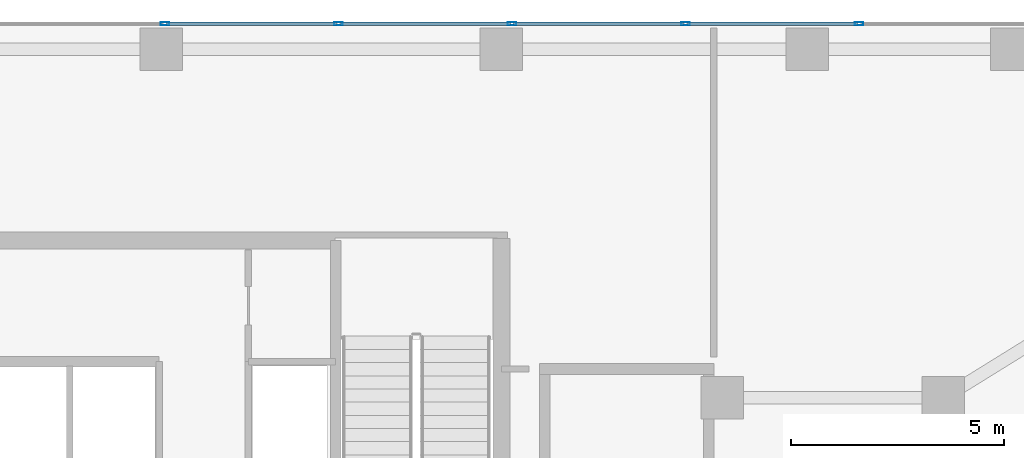
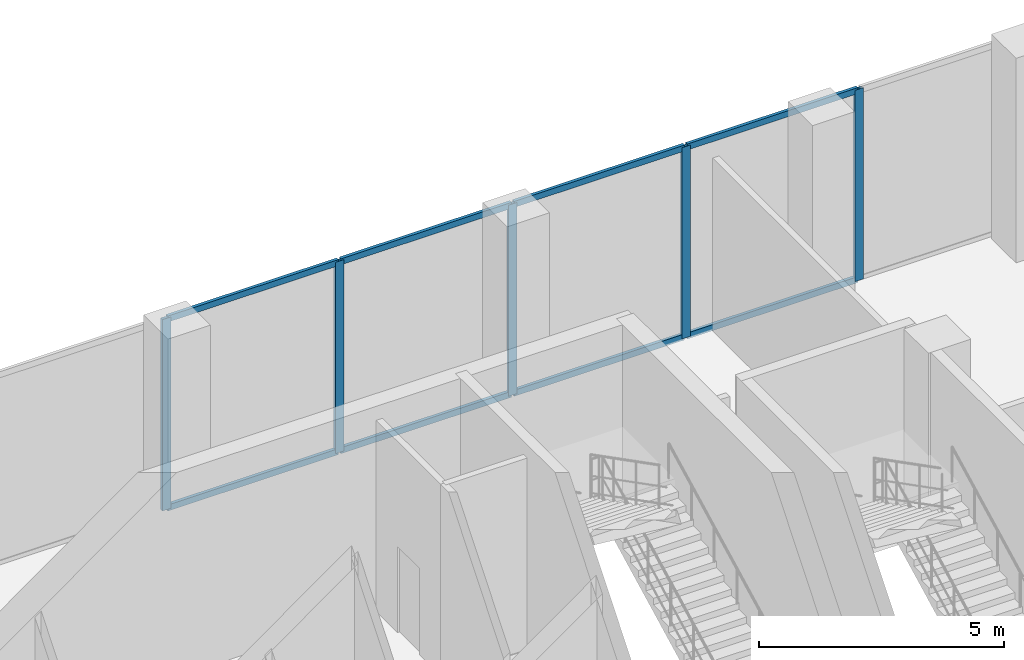
# One storey, part 18 of 24: 13 members, 1 element without a shape of its own.
"""IFC4 building model written with IfcOpenShell, lengths in metres."""

from ifc_helpers import new_model, si_unit, direction, frame, origin, origin_2d, place, context, subcontext, project, spatial, hollow_rectangle, extrude, material, layer, layer_set, material_profile, profile_set, type_object, element, aggregate, save


model = new_model("IFC4")

# Units and contexts
model_context = context("Model", 3, precision=1e-05, world=origin(), true_north=direction((0.0, 1.0)))
body_context = subcontext(model_context, "Body", "Model", "MODEL_VIEW")
ifc_project = project(units=[si_unit("LENGTHUNIT", "METRE"), si_unit("AREAUNIT", "SQUARE_METRE"), si_unit("VOLUMEUNIT", "CUBIC_METRE"), si_unit("PLANEANGLEUNIT", "RADIAN"), si_unit("MASSUNIT", "GRAM", prefix="KILO")], contexts=[model_context])

# Site, building, storey
site_placement = place(None, origin())
site = spatial("IfcSite", under=ifc_project, at=site_placement, CompositionType="ELEMENT")
building_placement = place(site_placement, origin())
building = spatial("IfcBuilding", under=site, at=building_placement, Name="Catumbela Crestline Tower", CompositionType="ELEMENT")
storey_placement = place(building_placement, frame((0.0, 0.0, 6.0)))
storey = spatial("IfcBuildingStorey", under=building, at=storey_placement, Name="L01", CompositionType="ELEMENT", Elevation=6.0)

# Curtain wall, members
ifc_material = material(Name="Aluminium alloy AW-6060-T66", Category="aluminium")
ifc_layer = layer(ifc_material, 0.18, Name="Aluminium alloy AW-6060-T66")
ifc_layer_set = layer_set([ifc_layer], Name="Aluminium alloy AW-6060-T66")
curtain_wall_type = type_object("IfcCurtainWallType", Name="CWS-POD", PredefinedType="USERDEFINED", material=ifc_layer_set)
curtain_wall_placement = place(storey_placement, origin())
curtain_wall = element("IfcCurtainWall", 1, at=curtain_wall_placement, inside=storey, type_object=curtain_wall_type, Name="L01 Stick Curtain Wall CW-L01-E7S1", ObjectType="STICK", PredefinedType="USERDEFINED")
ifc_material_profile_1 = material_profile(ifc_material, hollow_rectangle(XDim=0.075, YDim=0.2, WallThickness=0.005, at=origin_2d()), Name="ALU 200x75x5")
ifc_profile_set_1 = profile_set([ifc_material_profile_1], Name="Aluminium alloy AW-6060-T66")
member_type_1 = type_object("IfcMemberType", Name="MUL-200X75", PredefinedType="MULLION", material=ifc_profile_set_1)
member_1_placement = place(storey_placement, frame((48.4167, 48.0, 0.0), z_axis=(0.0, 0.0, 1.0), x_axis=(0.0, -1.0, 0.0)))
member_1 = element("IfcMember", 2, at=member_1_placement, type_object=member_type_1, Name="CWS-POD mullion 2", PredefinedType="MULLION", context=body_context, shape_type="SweptSolid", body=[
    extrude(hollow_rectangle(XDim=0.075, YDim=0.2, WallThickness=0.005, at=origin_2d()), origin(), (0.0, 0.0, 1.0), 4.77),
])
member_2_placement = place(storey_placement, frame((44.3333, 48.0, 0.0), z_axis=(0.0, 0.0, 1.0), x_axis=(0.0, -1.0, 0.0)))
member_2 = element("IfcMember", 3, at=member_2_placement, type_object=member_type_1, Name="CWS-POD mullion 3", PredefinedType="MULLION", context=body_context, shape_type="SweptSolid", body=[
    extrude(hollow_rectangle(XDim=0.075, YDim=0.2, WallThickness=0.005, at=origin_2d()), origin(), (0.0, 0.0, 1.0), 4.77),
])
member_3_placement = place(storey_placement, frame((40.25, 48.0, 0.0), z_axis=(0.0, 0.0, 1.0), x_axis=(0.0, -1.0, 0.0)))
member_3 = element("IfcMember", 4, at=member_3_placement, type_object=member_type_1, Name="CWS-POD mullion 4", PredefinedType="MULLION", context=body_context, shape_type="SweptSolid", body=[
    extrude(hollow_rectangle(XDim=0.075, YDim=0.2, WallThickness=0.005, at=origin_2d()), origin(), (0.0, 0.0, 1.0), 4.77),
])
member_4_placement = place(storey_placement, frame((36.1667, 48.0, 0.0), z_axis=(0.0, 0.0, 1.0), x_axis=(0.0, -1.0, 0.0)))
member_4 = element("IfcMember", 5, at=member_4_placement, type_object=member_type_1, Name="CWS-POD mullion 5", PredefinedType="MULLION", context=body_context, shape_type="SweptSolid", body=[
    extrude(hollow_rectangle(XDim=0.075, YDim=0.2, WallThickness=0.005, at=origin_2d()), origin(), (0.0, 0.0, 1.0), 4.77),
])
member_5_placement = place(storey_placement, frame((32.0833, 48.0, 0.0), z_axis=(0.0, 0.0, 1.0), x_axis=(0.0, -1.0, 0.0)))
member_5 = element("IfcMember", 6, at=member_5_placement, type_object=member_type_1, Name="CWS-POD mullion 6", PredefinedType="MULLION", context=body_context, shape_type="SweptSolid", body=[
    extrude(hollow_rectangle(XDim=0.075, YDim=0.2, WallThickness=0.005, at=origin_2d()), origin(), (0.0, 0.0, 1.0), 4.77),
])
ifc_material_profile_2 = material_profile(ifc_material, hollow_rectangle(XDim=0.075, YDim=0.15, WallThickness=0.0045, at=origin_2d()), Name="ALU 150x75x4.5")
ifc_profile_set_2 = profile_set([ifc_material_profile_2], Name="Aluminium alloy AW-6060-T66")
member_type_2 = type_object("IfcMemberType", Name="TRN-150X75", PredefinedType="USERDEFINED", material=ifc_profile_set_2)
member_6_placement = place(storey_placement, frame((48.3842, 48.0, 0.03), z_axis=(-1.0, 0.0, 0.0), x_axis=(0.0, -1.0, 0.0)))
member_6 = element("IfcMember", 7, at=member_6_placement, type_object=member_type_2, Name="CWS-POD transom 2.1", ObjectType="TRANSOM", PredefinedType="USERDEFINED", context=body_context, shape_type="SweptSolid", body=[
    extrude(hollow_rectangle(XDim=0.075, YDim=0.15, WallThickness=0.0045, at=origin_2d()), origin(), (0.0, 0.0, 1.0), 4.0184),
])
member_7_placement = place(storey_placement, frame((48.3842, 48.0, 4.74), z_axis=(-1.0, 0.0, 0.0), x_axis=(0.0, -1.0, 0.0)))
member_7 = element("IfcMember", 8, at=member_7_placement, type_object=member_type_2, Name="CWS-POD transom 2.2", ObjectType="TRANSOM", PredefinedType="USERDEFINED", context=body_context, shape_type="SweptSolid", body=[
    extrude(hollow_rectangle(XDim=0.075, YDim=0.15, WallThickness=0.0045, at=origin_2d()), origin(), (0.0, 0.0, 1.0), 4.0184),
])
member_8_placement = place(storey_placement, frame((44.3008, 48.0, 0.03), z_axis=(-1.0, 0.0, 0.0), x_axis=(0.0, -1.0, 0.0)))
member_8 = element("IfcMember", 9, at=member_8_placement, type_object=member_type_2, Name="CWS-POD transom 3.1", ObjectType="TRANSOM", PredefinedType="USERDEFINED", context=body_context, shape_type="SweptSolid", body=[
    extrude(hollow_rectangle(XDim=0.075, YDim=0.15, WallThickness=0.0045, at=origin_2d()), origin(), (0.0, 0.0, 1.0), 4.0183),
])
member_9_placement = place(storey_placement, frame((44.3008, 48.0, 4.74), z_axis=(-1.0, 0.0, 0.0), x_axis=(0.0, -1.0, 0.0)))
member_9 = element("IfcMember", 10, at=member_9_placement, type_object=member_type_2, Name="CWS-POD transom 3.2", ObjectType="TRANSOM", PredefinedType="USERDEFINED", context=body_context, shape_type="SweptSolid", body=[
    extrude(hollow_rectangle(XDim=0.075, YDim=0.15, WallThickness=0.0045, at=origin_2d()), origin(), (0.0, 0.0, 1.0), 4.0183),
])
member_10_placement = place(storey_placement, frame((40.2175, 48.0, 0.03), z_axis=(-1.0, 0.0, 0.0), x_axis=(0.0, -1.0, 0.0)))
member_10 = element("IfcMember", 11, at=member_10_placement, type_object=member_type_2, Name="CWS-POD transom 4.1", ObjectType="TRANSOM", PredefinedType="USERDEFINED", context=body_context, shape_type="SweptSolid", body=[
    extrude(hollow_rectangle(XDim=0.075, YDim=0.15, WallThickness=0.0045, at=origin_2d()), origin(), (0.0, 0.0, 1.0), 4.0183),
])
member_11_placement = place(storey_placement, frame((40.2175, 48.0, 4.74), z_axis=(-1.0, 0.0, 0.0), x_axis=(0.0, -1.0, 0.0)))
member_11 = element("IfcMember", 12, at=member_11_placement, type_object=member_type_2, Name="CWS-POD transom 4.2", ObjectType="TRANSOM", PredefinedType="USERDEFINED", context=body_context, shape_type="SweptSolid", body=[
    extrude(hollow_rectangle(XDim=0.075, YDim=0.15, WallThickness=0.0045, at=origin_2d()), origin(), (0.0, 0.0, 1.0), 4.0183),
])
member_12_placement = place(storey_placement, frame((36.1342, 48.0, 0.03), z_axis=(-1.0, 0.0, 0.0), x_axis=(0.0, -1.0, 0.0)))
member_12 = element("IfcMember", 13, at=member_12_placement, type_object=member_type_2, Name="CWS-POD transom 5.1", ObjectType="TRANSOM", PredefinedType="USERDEFINED", context=body_context, shape_type="SweptSolid", body=[
    extrude(hollow_rectangle(XDim=0.075, YDim=0.15, WallThickness=0.0045, at=origin_2d()), origin(), (0.0, 0.0, 1.0), 4.0184),
])
member_13_placement = place(storey_placement, frame((36.1342, 48.0, 4.74), z_axis=(-1.0, 0.0, 0.0), x_axis=(0.0, -1.0, 0.0)))
member_13 = element("IfcMember", 14, at=member_13_placement, type_object=member_type_2, Name="CWS-POD transom 5.2", ObjectType="TRANSOM", PredefinedType="USERDEFINED", context=body_context, shape_type="SweptSolid", body=[
    extrude(hollow_rectangle(XDim=0.075, YDim=0.15, WallThickness=0.0045, at=origin_2d()), origin(), (0.0, 0.0, 1.0), 4.0184),
])
aggregate(curtain_wall, [member_1, member_2, member_3, member_4, member_5, member_6, member_7, member_8, member_9, member_10, member_11, member_12, member_13])

save(model, "model.ifc")
